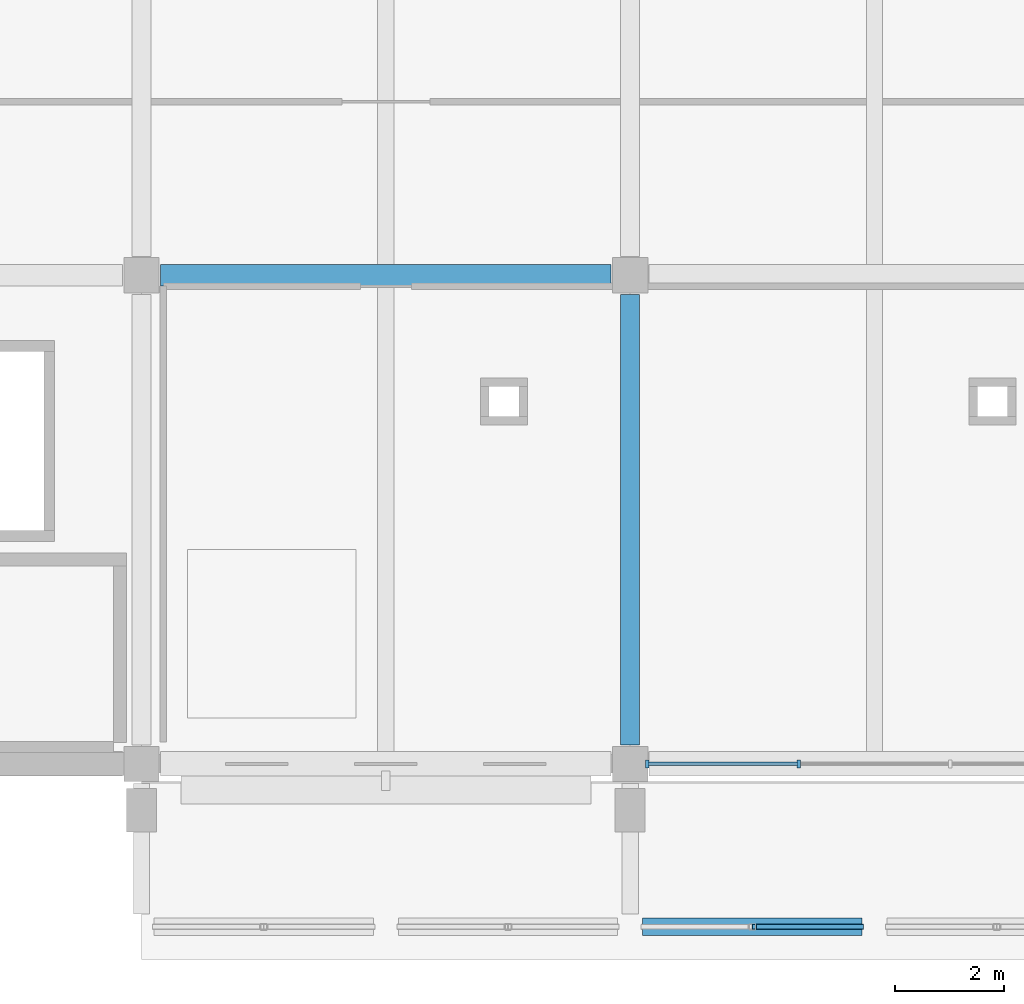
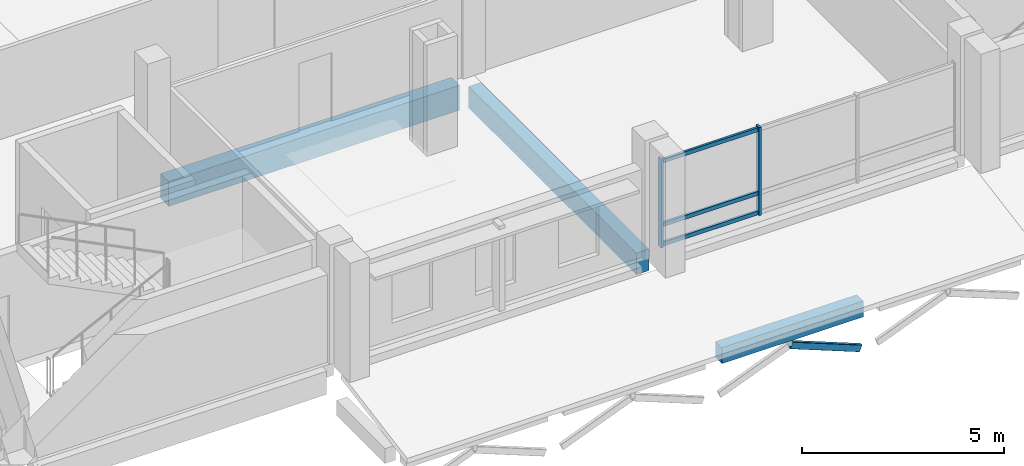
# One storey, part 30 of 132: 6 members, 3 beams, 1 element without a shape of its own.
"""IFC4 building model written with IfcOpenShell, lengths in metres."""

from ifc_helpers import new_model, si_unit, direction, frame, origin, origin_2d, place, context, subcontext, project, spatial, rectangle, hollow_rectangle, extrude, material, material_profile, profile_set, type_object, element, aggregate, save


model = new_model("IFC4")

# Units and contexts
model_context = context("Model", 3, precision=1e-05, world=origin(), true_north=direction((0.0, 1.0)))
body_context = subcontext(model_context, "Body", "Model", "MODEL_VIEW")
ifc_project = project(units=[si_unit("LENGTHUNIT", "METRE"), si_unit("AREAUNIT", "SQUARE_METRE"), si_unit("VOLUMEUNIT", "CUBIC_METRE"), si_unit("PLANEANGLEUNIT", "RADIAN"), si_unit("MASSUNIT", "GRAM", prefix="KILO")], contexts=[model_context])

# Site, building, storey
site_placement = place(None, origin())
site = spatial("IfcSite", under=ifc_project, at=site_placement, CompositionType="ELEMENT")
building_placement = place(site_placement, origin())
building = spatial("IfcBuilding", under=site, at=building_placement, Name="Tharagai Park Tramway Depot", CompositionType="ELEMENT")
storey_placement = place(building_placement, frame((0.0, 0.0, 4.800048828125)))
storey = spatial("IfcBuildingStorey", under=building, at=storey_placement, Name="L01", CompositionType="ELEMENT", Elevation=4.800048828125)

# Beams
ifc_material_1 = material(Name="Concrete M35", Category="concrete")
ifc_material_profile_1 = material_profile(ifc_material_1, rectangle(XDim=0.35009765625, YDim=0.64990234375, at=origin_2d()), Name="RC 350x650")
ifc_profile_set_1 = profile_set([ifc_material_profile_1], Name="Concrete M35")
beam_type_1 = type_object("IfcBeamType", Name="BM-13", PredefinedType="BEAM", material=ifc_profile_set_1)
beam_1_placement = place(storey_placement, frame((27.0, 0.35009765625, -0.574951171875), z_axis=(0.0, 1.0, 0.0), x_axis=(-1.0, 0.0, 0.0)))
element("IfcBeam", 1, at=beam_1_placement, inside=storey, type_object=beam_type_1, Name="L01 Grid Beam BM-13", PredefinedType="BEAM", context=body_context, shape_type="SweptSolid", body=[
    extrude(rectangle(XDim=0.35009765625, YDim=0.64990234375, at=origin_2d()), origin(), (0.0, 0.0, 1.0), 8.2998046875),
])
ifc_material_profile_2 = material_profile(ifc_material_1, rectangle(XDim=0.39990234375, YDim=0.75, at=origin_2d()), Name="RC 400x750")
ifc_profile_set_2 = profile_set([ifc_material_profile_2], Name="Concrete M35")
beam_type_2 = type_object("IfcBeamType", Name="BM-19", PredefinedType="BEAM", material=ifc_profile_set_2)
beam_2_placement = place(storey_placement, frame((18.35009765625, 9.0, -0.625), z_axis=(1.0, 0.0, 0.0), x_axis=(0.0, 1.0, 0.0)))
element("IfcBeam", 2, at=beam_2_placement, inside=storey, type_object=beam_type_2, Name="L01 Grid Beam BM-19", PredefinedType="BEAM", context=body_context, shape_type="SweptSolid", body=[
    extrude(rectangle(XDim=0.39990234375, YDim=0.75, at=origin_2d()), origin(), (0.0, 0.0, 1.0), 8.2998046875),
])

# Curtain wall, members
ifc_material_2 = material(Name="Anodised aluminium", Category="aluminium")
curtain_wall_type = type_object("IfcCurtainWallType", Name="CW-01", PredefinedType="NOTDEFINED", material=ifc_material_2)
curtain_wall_placement = place(storey_placement, origin())
curtain_wall = element("IfcCurtainWall", 3, at=curtain_wall_placement, inside=storey, type_object=curtain_wall_type, Name="L01 V4 Gothic Mullioned Curtain Wall CW-01", PredefinedType="NOTDEFINED")
ifc_material_profile_3 = material_profile(ifc_material_2, rectangle(XDim=0.06494140625, YDim=0.1201171875, at=origin_2d()), Name="ALU 65x120")
ifc_profile_set_3 = profile_set([ifc_material_profile_3], Name="Anodised aluminium")
member_type_1 = type_object("IfcMemberType", Name="CM-01", PredefinedType="USERDEFINED", material=ifc_profile_set_3)
member_1_placement = place(storey_placement, frame((27.330078125, 0.0, 0.06005859375), z_axis=(1.0, 0.0, 0.0), x_axis=(0.0, 1.0, 0.0)))
member_1 = element("IfcMember", 4, at=member_1_placement, type_object=member_type_1, Name="L01 V4 Gothic Mullioned Curtain Wall Transom 1.1", ObjectType="TRANSOM", PredefinedType="USERDEFINED", context=body_context, shape_type="SweptSolid", body=[
    extrude(rectangle(XDim=0.06494140625, YDim=0.1201171875, at=origin_2d()), origin(), (0.0, 0.0, 1.0), 2.760009765625),
])
member_2_placement = place(storey_placement, frame((27.330078125, 0.0, 0.64990234375), z_axis=(1.0, 0.0, 0.0), x_axis=(0.0, 1.0, 0.0)))
member_2 = element("IfcMember", 5, at=member_2_placement, type_object=member_type_1, Name="L01 V4 Gothic Mullioned Curtain Wall Transom 1.2", ObjectType="TRANSOM", PredefinedType="USERDEFINED", context=body_context, shape_type="SweptSolid", body=[
    extrude(rectangle(XDim=0.06494140625, YDim=0.1201171875, at=origin_2d()), origin(), (0.0, 0.0, 1.0), 2.760009765625),
])
member_3_placement = place(storey_placement, frame((27.330078125, 0.0, 2.570068359375), z_axis=(1.0, 0.0, 0.0), x_axis=(0.0, 1.0, 0.0)))
member_3 = element("IfcMember", 6, at=member_3_placement, type_object=member_type_1, Name="L01 V4 Gothic Mullioned Curtain Wall Transom 1.3", ObjectType="TRANSOM", PredefinedType="USERDEFINED", context=body_context, shape_type="SweptSolid", body=[
    extrude(rectangle(XDim=0.06494140625, YDim=0.1201171875, at=origin_2d()), origin(), (0.0, 0.0, 1.0), 2.760009765625),
])
ifc_material_profile_4 = material_profile(ifc_material_2, rectangle(XDim=0.06494140625, YDim=0.14990234375, at=origin_2d()), Name="ALU 65x150")
ifc_profile_set_4 = profile_set([ifc_material_profile_4], Name="Anodised aluminium")
member_type_2 = type_object("IfcMemberType", Name="CM-03", PredefinedType="MULLION", material=ifc_profile_set_4)
member_4_placement = place(storey_placement, frame((27.31494140625, 0.0, -0.005126953125), z_axis=(0.0, 0.0, 1.0), x_axis=(1.0, 0.0, 0.0)))
member_4 = element("IfcMember", 7, at=member_4_placement, type_object=member_type_2, Name="L01 V4 Gothic Mullioned Curtain Wall Mullion 1", PredefinedType="MULLION", context=body_context, shape_type="SweptSolid", body=[
    extrude(rectangle(XDim=0.06494140625, YDim=0.14990234375, at=origin_2d()), origin(), (0.0, 0.0, 1.0), 2.66015625),
])
member_5_placement = place(storey_placement, frame((30.10498046875, 0.0, -0.005126953125), z_axis=(0.0, 0.0, 1.0), x_axis=(1.0, 0.0, 0.0)))
member_5 = element("IfcMember", 8, at=member_5_placement, type_object=member_type_2, Name="L01 V4 Gothic Mullioned Curtain Wall Mullion 2", PredefinedType="MULLION", context=body_context, shape_type="SweptSolid", body=[
    extrude(rectangle(XDim=0.06494140625, YDim=0.14990234375, at=origin_2d()), origin(), (0.0, 0.0, 1.0), 2.66015625),
])
aggregate(curtain_wall, [member_4, member_5, member_1, member_2, member_3])

# Member
ifc_material_3 = material(Name="Steel E350", Category="steel")
ifc_material_profile_5 = material_profile(ifc_material_3, hollow_rectangle(XDim=0.10009765625, YDim=0.199951171875, WallThickness=0.006103515625, InnerFilletRadius=0.006103515625, OuterFilletRadius=0.011962890625, at=origin_2d()), Name="RHS 200x100x6")
ifc_profile_set_5 = profile_set([ifc_material_profile_5], Name="Steel E350")
member_type_3 = type_object("IfcMemberType", Name="RF-04", PredefinedType="RAFTER", material=ifc_profile_set_5)
member_6_placement = place(storey_placement, frame((31.260009765625, -3.0, -2.6201171875), z_axis=(-0.929766353739, 0.0, 0.368150142545), x_axis=(0.0, -1.0, 0.0)))
element("IfcMember", 9, at=member_6_placement, inside=storey, type_object=member_type_3, Name="Pointed Gothic Arcade Arch Rib Right RF-04", PredefinedType="RAFTER", context=body_context, shape_type="SweptSolid", body=[
    extrude(hollow_rectangle(XDim=0.10009765625, YDim=0.199951171875, WallThickness=0.006103515625, InnerFilletRadius=0.006103515625, OuterFilletRadius=0.011962890625, at=origin_2d()), origin(), (0.0, 0.0, 1.0), 2.118896484375),
])

# Beam
ifc_material_profile_6 = material_profile(ifc_material_1, rectangle(XDim=0.320068359375, YDim=0.47998046875, at=origin_2d()), Name="RC 320x480")
ifc_profile_set_6 = profile_set([ifc_material_profile_6], Name="Concrete M35")
beam_type_3 = type_object("IfcBeamType", Name="SP-05", PredefinedType="SPANDREL", material=ifc_profile_set_6)
beam_3_placement = place(storey_placement, frame((27.22998046875, -3.0, -1.360107421875), z_axis=(1.0, 0.0, 0.0), x_axis=(0.0, 1.0, 0.0)))
element("IfcBeam", 10, at=beam_3_placement, inside=storey, type_object=beam_type_3, Name="Gothic Cloister Arcade Spandrel Lintel SP-05", PredefinedType="SPANDREL", context=body_context, shape_type="SweptSolid", body=[
    extrude(rectangle(XDim=0.320068359375, YDim=0.47998046875, at=origin_2d()), origin(), (0.0, 0.0, 1.0), 4.0400390625),
])

save(model, "model.ifc")
